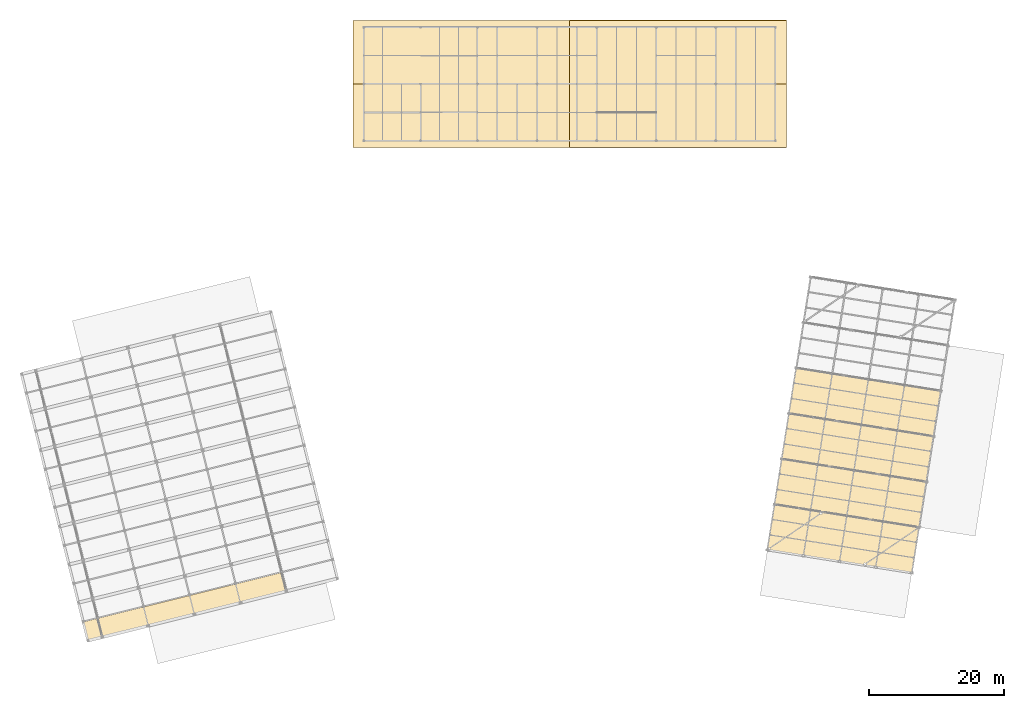
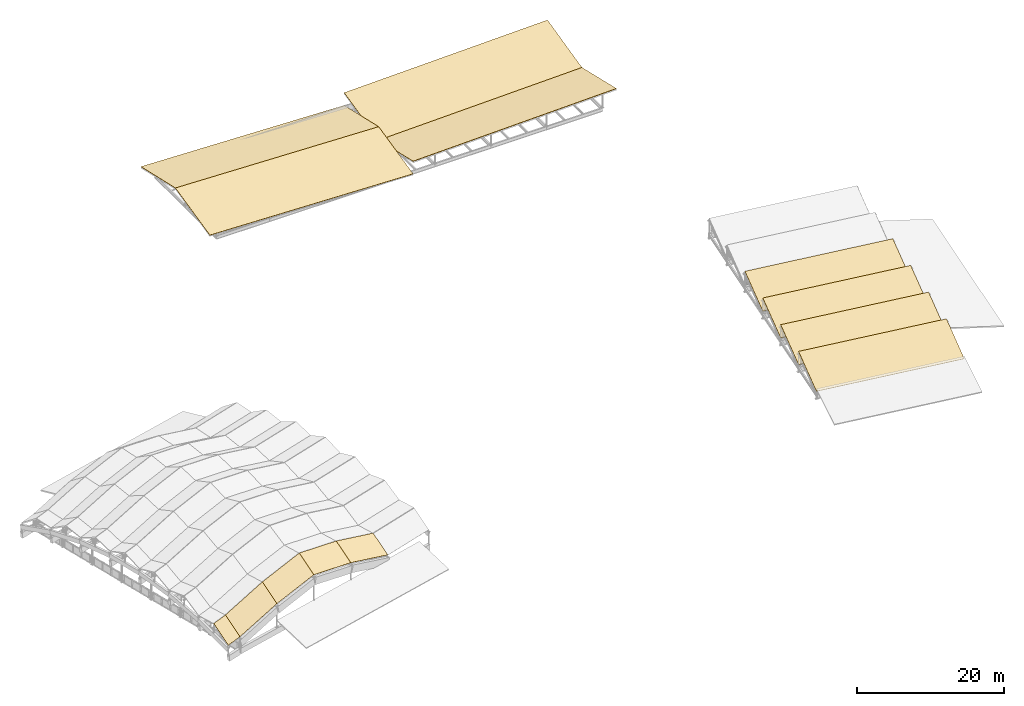
# One storey, part 65 of 65: 13 coverings, 3 elements without a shape of their own.
"""IFC4 building model written with IfcOpenShell, lengths in metres."""

from ifc_helpers import new_model, si_unit, direction, frame, origin, place, context, subcontext, project, spatial, polyline, outline, extrude, material, layer, layer_set, type_object, element, aggregate, save


model = new_model("IFC4")

# Units and contexts
model_context = context("Model", 3, precision=1e-05, world=origin(), true_north=direction((0.0, 1.0)))
body_context = subcontext(model_context, "Body", "Model", "MODEL_VIEW")
ifc_project = project(units=[si_unit("LENGTHUNIT", "METRE"), si_unit("AREAUNIT", "SQUARE_METRE"), si_unit("VOLUMEUNIT", "CUBIC_METRE"), si_unit("PLANEANGLEUNIT", "RADIAN"), si_unit("MASSUNIT", "GRAM", prefix="KILO")], contexts=[model_context])

# Site, building, storey
site_placement = place(None, origin())
site = spatial("IfcSite", under=ifc_project, at=site_placement, CompositionType="ELEMENT")
building_placement = place(site_placement, origin())
building = spatial("IfcBuilding", under=site, at=building_placement, Name="Cinderway Yard Community Centre", CompositionType="ELEMENT")
storey_placement = place(building_placement, frame((0.0, 0.0, 24.300048828125)))
storey = spatial("IfcBuildingStorey", under=building, at=storey_placement, Name="RF", CompositionType="ELEMENT", Elevation=24.300048828125)

# Roof, coverings
ifc_material_1 = material(Name="Concrete C40/50", Category="concrete")
ifc_layer_1 = layer(ifc_material_1, 0.199951171875, Name="Concrete C40/50")
ifc_layer_set_1 = layer_set([ifc_layer_1], Name="Concrete C40/50")
roof_type_1 = type_object("IfcRoofType", Name="STR-ROOF-FOLDED", PredefinedType="BARREL_ROOF", material=ifc_layer_set_1)
roof_1_placement = place(storey_placement, origin())
roof_1 = element("IfcRoof", 1, at=roof_1_placement, inside=storey, type_object=roof_type_1, Name="Main Hall Curved-Arch Folded-Plate Roof", PredefinedType="BARREL_ROOF")
ifc_material_2 = material(Name="Standing-Seam Aluminium & Waterproofing", Category="aluminium")
ifc_layer_2 = layer(ifc_material_2, 0.06005859375, Name="Standing-Seam Aluminium & Waterproofing")
ifc_layer_set_2 = layer_set([ifc_layer_2], Name="Standing-Seam Aluminium & Waterproofing")
covering_type = type_object("IfcCoveringType", Name="INT-COV-ROOF-MEM", PredefinedType="ROOFING", material=ifc_layer_set_2)
covering_1_placement = place(storey_placement, frame((17.675048828125, 24.5849609375, -9.18994140625), z_axis=(0.023319243529, -0.613073993386, 0.789681259442), x_axis=(0.958258577685, 0.238849516093, 0.15713499596)))
covering_1 = element("IfcCovering", 2, at=covering_1_placement, type_object=covering_type, Name="Standing-seam roof membrane 01", PredefinedType="ROOFING", context=body_context, shape_type="SweptSolid", body=[
    extrude(outline(polyline([(0.0, 0.0), (2.226993596758181, -8.326672684688674e-17), (2.5693002605806443, 3.576703316210071), (0.3413325013940701, 3.5768367996723973), (0.0, 0.0)])), origin(), (0.0, 0.0, -1.0), 0.06005859375),
])
covering_2_placement = place(storey_placement, frame((19.80908203125, 25.116943359375, -8.840087890625), z_axis=(-0.082966798182, -0.627487516362, 0.774193727183), x_axis=(0.929396564842, 0.231637962019, 0.287342791472)))
covering_2 = element("IfcCovering", 3, at=covering_2_placement, type_object=covering_type, Name="Standing-seam roof membrane 02", PredefinedType="ROOFING", context=body_context, shape_type="SweptSolid", body=[
    extrude(outline(polyline([(0.0, 0.0), (7.3089995065960665, 2.220446049250313e-16), (7.933485528131923, 3.538360292335127), (0.6254501876055312, 3.538190572172774), (0.0, 0.0)])), origin(), (0.0, 0.0, -1.0), 0.06005859375),
])
covering_3_placement = place(storey_placement, frame((26.60205078125, 26.81005859375, -6.739990234375), z_axis=(-0.007864364078, -0.618082124621, 0.786074194336), x_axis=(0.951442369684, 0.237285705313, 0.196094138679)))
covering_3 = element("IfcCovering", 4, at=covering_3_placement, type_object=covering_type, Name="Standing-seam roof membrane 03", PredefinedType="ROOFING", context=body_context, shape_type="SweptSolid", body=[
    extrude(outline(polyline([(0.0, 0.0), (7.138627621888451, -1.1102230246251565e-16), (7.565114481195661, 3.567834120123495), (0.4264289282268106, 3.5676511497988104), (0.0, 0.0)])), origin(), (0.0, 0.0, -1.0), 0.06005859375),
])
covering_4_placement = place(storey_placement, frame((33.39404296875, 28.50390625, -5.340087890625), z_axis=(0.297126292648, -0.542020664064, 0.786084961022), x_axis=(0.951468199054, 0.237177321988, -0.196099934022)))
covering_4 = element("IfcCovering", 5, at=covering_4_placement, type_object=covering_type, Name="Standing-seam roof membrane 04", PredefinedType="ROOFING", context=body_context, shape_type="SweptSolid", body=[
    extrude(outline(polyline([(0.0, 0.0), (7.138453868982606, -1.1102230246251565e-16), (6.711522908335369, 3.56759110796699), (-0.42687305602761094, 3.5677879344534524), (0.0, 0.0)])), origin(), (0.0, 0.0, -1.0), 0.06005859375),
])
covering_5_placement = place(storey_placement, frame((40.18603515625, 30.197021484375, -6.739990234375), z_axis=(0.367855813042, -0.515080827623, 0.774192380372), x_axis=(0.929350911172, 0.231803234099, -0.287357172462)))
covering_5 = element("IfcCovering", 6, at=covering_5_placement, type_object=covering_type, Name="Standing-seam roof membrane 05", PredefinedType="ROOFING", context=body_context, shape_type="SweptSolid", body=[
    extrude(outline(polyline([(0.0, 0.0), (7.308318209895279, 0.0), (6.683293960902485, 3.538265260173841), (-0.6250242489927944, 3.5382652601738407), (0.0, 0.0)])), origin(), (0.0, 0.0, -1.0), 0.06005859375),
])
aggregate(roof_1, [covering_1, covering_2, covering_3, covering_4, covering_5])

ifc_layer_3 = layer(ifc_material_1, 0.179931640625, Name="Concrete C40/50")
ifc_layer_set_3 = layer_set([ifc_layer_3], Name="Concrete C40/50")
roof_type_2 = type_object("IfcRoofType", Name="STR-ROOF-SAWTOOTH", PredefinedType="SHED_ROOF", material=ifc_layer_set_3)
roof_2_placement = place(storey_placement, origin())
roof_2 = element("IfcRoof", 7, at=roof_2_placement, inside=storey, type_object=roof_type_2, Name="Sports Hall North-Light Sawtooth Roof", PredefinedType="SHED_ROOF")
covering_6_placement = place(storey_placement, frame((118.0, 38.0, -10.18994140625), z_axis=(-0.048155459779, -0.30403646525, 0.951442525585), x_axis=(0.987688722272, -0.156432055199, 1.634807e-06)))
covering_6 = element("IfcCovering", 8, at=covering_6_placement, type_object=covering_type, Name="Standing-seam roof membrane 06", PredefinedType="ROOFING", context=body_context, shape_type="SweptSolid", body=[
    extrude(outline(polyline([(0.0, 0.0), (21.59990501732949, 0.0), (21.60020511706145, 7.146610995830152), (0.0002619083122332063, 7.146840421887558), (0.0, 0.0)])), origin(), (0.0, 0.0, -1.0), 0.06005859375),
])
covering_7_placement = place(storey_placement, frame((119.06396484375, 44.716064453125, -10.18994140625), z_axis=(-0.048150201025, -0.303992281366, 0.951456909698), x_axis=(0.987687058599, -0.156442559028, 0.0)))
covering_7 = element("IfcCovering", 9, at=covering_7_placement, type_object=covering_type, Name="Standing-seam roof membrane 07", PredefinedType="ROOFING", context=body_context, shape_type="SweptSolid", body=[
    extrude(outline(polyline([(0.0, 0.0), (21.59994320999954, 0.0), (21.599976431397927, 7.147758134677964), (3.322139838402016e-05, 7.147758134677964), (0.0, 0.0)])), origin(), (0.0, 0.0, -1.0), 0.06005859375),
])
covering_8_placement = place(storey_placement, frame((120.1279296875, 51.43310546875, -10.18994140625), z_axis=(-0.048156439199, -0.30404264896, 0.951440499967), x_axis=(0.987687141347, -0.1564420366, -1.634834e-06)))
covering_8 = element("IfcCovering", 10, at=covering_8_placement, type_object=covering_type, Name="Standing-seam roof membrane 08", PredefinedType="ROOFING", context=body_context, shape_type="SweptSolid", body=[
    extrude(outline(polyline([(0.0, 0.0), (21.599943209967655, 4.440892098500626e-16), (21.599164669223196, 7.146695066653891), (-0.0007403468878657169, 7.146465641490598), (0.0, 0.0)])), origin(), (0.0, 0.0, -1.0), 0.06005859375),
])
covering_9_placement = place(storey_placement, frame((121.19091796875, 58.14892578125, -10.18994140625), z_axis=(-0.0481525986, -0.304031123728, 0.951444377277), x_axis=(0.987688818117, -0.156431450054, -2.58917e-07)))
covering_9 = element("IfcCovering", 11, at=covering_9_placement, type_object=covering_type, Name="Standing-seam roof membrane 09", PredefinedType="ROOFING", context=body_context, shape_type="SweptSolid", body=[
    extrude(outline(polyline([(0.0, 0.0), (21.599905017360577, 0.0), (21.600408060700342, 7.146876758871716), (0.00026190837440361964, 7.146840421981506), (0.0, 0.0)])), origin(), (0.0, 0.0, -1.0), 0.06005859375),
])
aggregate(roof_2, [covering_6, covering_7, covering_8, covering_9])

ifc_layer_4 = layer(ifc_material_1, 0.199951171875, Name="Concrete C40/50")
ifc_layer_set_4 = layer_set([ifc_layer_4], Name="Concrete C40/50")
roof_type_3 = type_object("IfcRoofType", Name="STR-ROOF-GABLE", PredefinedType="GABLE_ROOF", material=ifc_layer_set_4)
roof_3_placement = place(storey_placement, origin())
roof_3 = element("IfcRoof", 12, at=roof_3_placement, inside=storey, type_object=roof_type_3, Name="Learning & Library Wing Scissored Folded Roof", PredefinedType="GABLE_ROOF")
covering_10_placement = place(storey_placement, frame((56.800048828125, 97.39990234375, 1.2099609375), z_axis=(0.030449289232, -0.222849287363, 0.974377255434), x_axis=(0.999512076087, 0.0, -0.031234752378)))
covering_10 = element("IfcCovering", 13, at=covering_10_placement, type_object=covering_type, Name="Standing-seam roof membrane 13", PredefinedType="ROOFING", context=body_context, shape_type="SweptSolid", body=[
    extrude(outline(polyline([(0.0, 0.0), (32.01562118716424, 0.0), (31.94846951982093, 9.64263058863827), (-0.06715166734331372, 9.64263058863827), (0.0, 0.0)])), origin(), (0.0, 0.0, -1.0), 0.06005859375),
])
covering_11_placement = place(storey_placement, frame((56.800048828125, 106.800048828125, 3.35986328125), z_axis=(0.030449249957, 0.222854787903, 0.97437599862), x_axis=(0.999512076087, 0.0, -0.031234752378)))
covering_11 = element("IfcCovering", 14, at=covering_11_placement, type_object=covering_type, Name="Standing-seam roof membrane 14", PredefinedType="ROOFING", context=body_context, shape_type="SweptSolid", body=[
    extrude(outline(polyline([(0.0, 0.0), (32.01562118716424, 0.0), (32.08277285450756, 9.64239258759316), (0.06715166734331372, 9.64239258759316), (0.0, 0.0)])), origin(), (0.0, 0.0, -1.0), 0.06005859375),
])
covering_12_placement = place(storey_placement, frame((88.800048828125, 97.39990234375, 2.31005859375), z_axis=(-0.027375434168, 0.22780288584, 0.973322367362), x_axis=(0.999604710801, 8.45482e-07, 0.028114447247)))
covering_12 = element("IfcCovering", 15, at=covering_12_placement, type_object=covering_type, Name="Standing-seam roof membrane 15", PredefinedType="ROOFING", context=body_context, shape_type="SweptSolid", body=[
    extrude(outline(polyline([(0.0, 0.0), (32.01265100259849, 0.0), (31.950808539085283, 9.653948134412765), (-0.061849327391927326, 9.654003728372963), (0.0, 0.0)])), origin(), (0.0, 0.0, -1.0), 0.06005859375),
])
covering_13_placement = place(storey_placement, frame((88.800048828125, 106.800048828125, 0.10986328125), z_axis=(-0.02737539727, -0.227808495439, 0.973321055474), x_axis=(0.999604699678, 8.45501e-07, 0.028114842708)))
covering_13 = element("IfcCovering", 16, at=covering_13_placement, type_object=covering_type, Name="Standing-seam roof membrane 16", PredefinedType="ROOFING", context=body_context, shape_type="SweptSolid", body=[
    extrude(outline(polyline([(0.0, 0.0), (32.01265786652549, 2.7755575615628914e-17), (32.074517095319706, 9.653710304974313), (0.061866092769494604, 9.653765900291578), (0.0, 0.0)])), origin(), (0.0, 0.0, -1.0), 0.06005859375),
])
aggregate(roof_3, [covering_10, covering_11, covering_12, covering_13])

save(model, "model.ifc")
